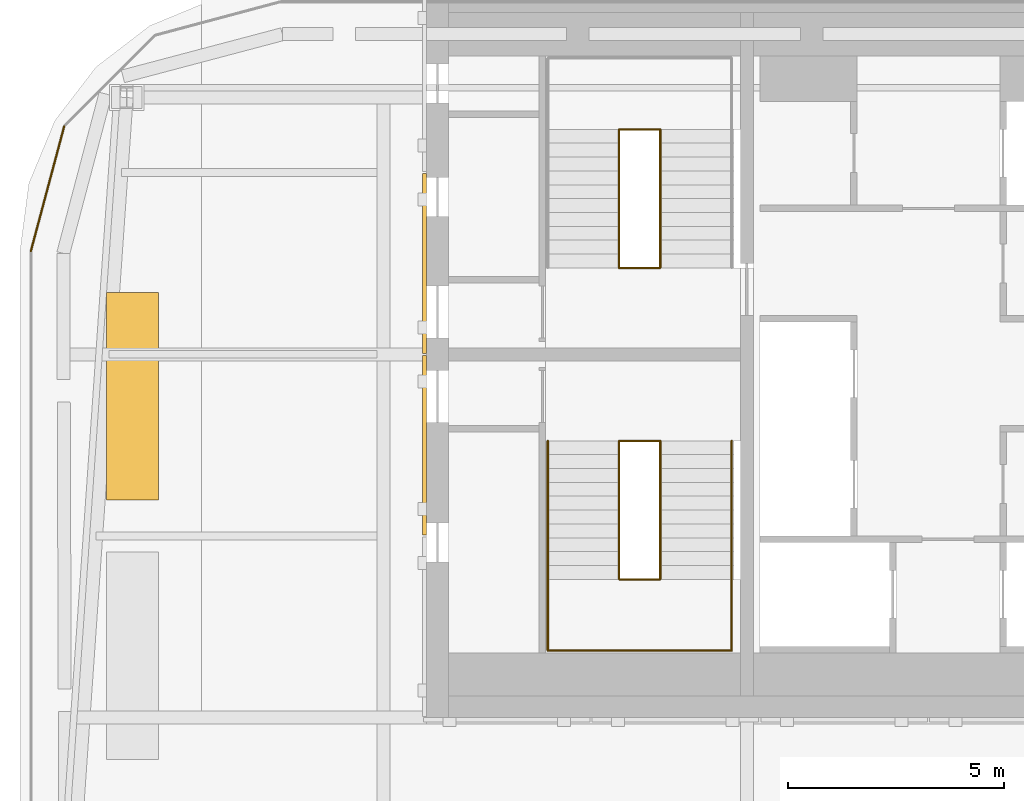
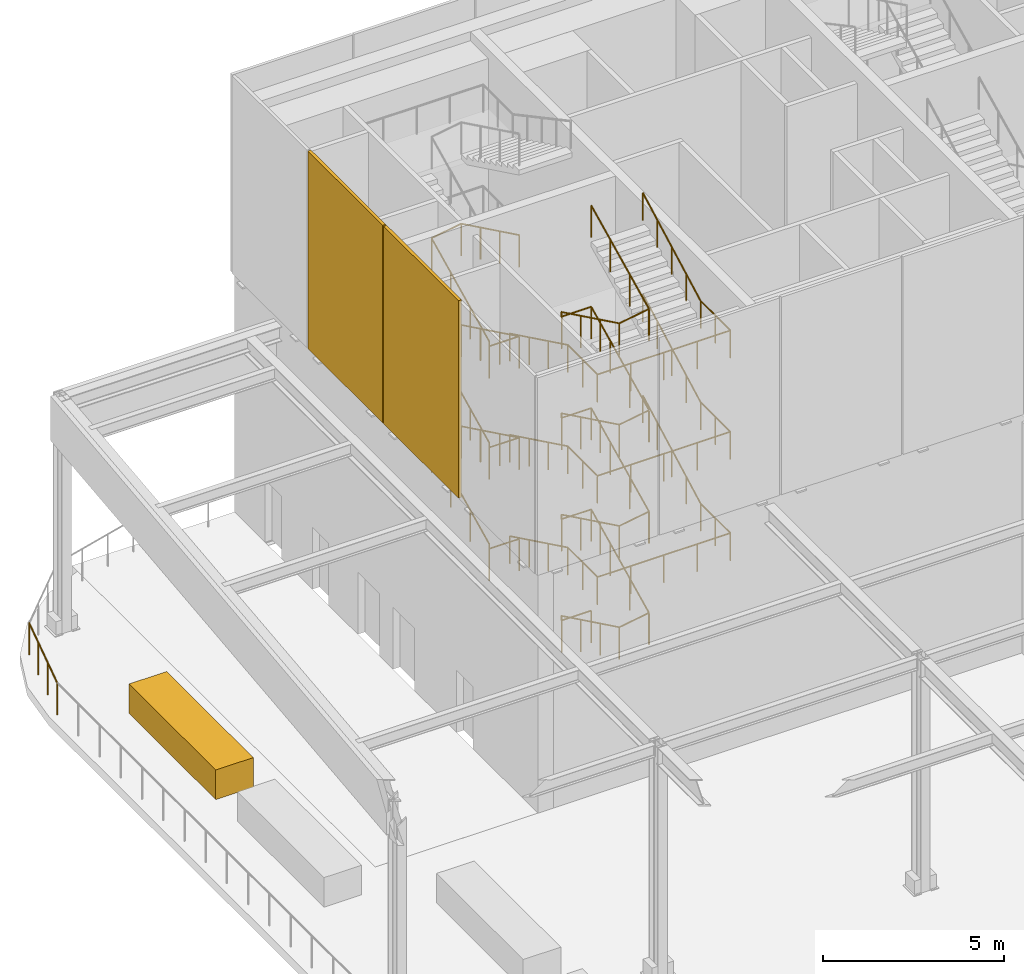
# One storey, part 11 of 14: 11 railings, 3 coverings.
"""IFC4 building model written with IfcOpenShell, lengths in metres."""

from ifc_helpers import new_model, si_unit, direction, frame, origin, origin_2d, place, context, subcontext, project, spatial, rectangle, circle, extrude, material, layer, layer_set, type_object, element, save


model = new_model("IFC4")

# Units and contexts
model_context = context("Model", 3, precision=1e-05, world=origin(), true_north=direction((0.0, 1.0)))
body_context = subcontext(model_context, "Body", "Model", "MODEL_VIEW")
ifc_project = project(units=[si_unit("LENGTHUNIT", "METRE"), si_unit("AREAUNIT", "SQUARE_METRE"), si_unit("VOLUMEUNIT", "CUBIC_METRE"), si_unit("PLANEANGLEUNIT", "RADIAN"), si_unit("MASSUNIT", "GRAM", prefix="KILO")], contexts=[model_context])

# Site, building, storey
site_placement = place(None, origin())
site = spatial("IfcSite", under=ifc_project, at=site_placement, CompositionType="ELEMENT")
building_placement = place(site_placement, origin())
building = spatial("IfcBuilding", under=site, at=building_placement, Name="Marenta Gate Hotel Tower", CompositionType="ELEMENT")
storey_placement = place(building_placement, frame((0.0, 0.0, 295.699951171875)))
storey = spatial("IfcBuildingStorey", under=building, at=storey_placement, Name="L67", CompositionType="ELEMENT", Elevation=295.699951171875)

# Railings
ifc_material_1 = material(Name="Stainless steel", Category="steel")
railing_type_1 = type_object("IfcRailingType", Name="Core stair handrail 950", PredefinedType="HANDRAIL", material=ifc_material_1)
railing_1_placement = place(storey_placement, frame((-8.800048828125, 6.39990234375, 3.580810546875)))
element("IfcRailing", 1, at=railing_1_placement, inside=storey, type_object=railing_type_1, Name="HR-950 L67-KR-ST1-3", PredefinedType="HANDRAIL", context=body_context, shape_type="SweptSolid", body=[
    extrude(circle(Radius=0.02392578125, at=origin_2d()), frame((0.0, 0.0, 0.92578125), z_axis=(0.0, -0.899245300681, 0.437444727027), x_axis=(1.0, 0.0, 0.0)), (0.0, 0.0, 1.0), 3.55859375),
    extrude(circle(Radius=0.02392578125, at=origin_2d()), frame((0.0, -3.199951171875, 2.482421875), z_axis=(0.0, -1.0, 0.0), x_axis=(1.0, 0.0, 0.0)), (0.0, 0.0, 1.0), 1.64990234375),
    extrude(circle(Radius=0.02392578125, at=origin_2d()), frame((0.0, -4.849853515625, 2.482421875), z_axis=(1.0, 0.0, 0.0), x_axis=(0.0, 1.0, 0.0)), (0.0, 0.0, 1.0), 4.25),
    extrude(circle(Radius=0.02392578125, at=origin_2d()), frame((4.25, -4.849853515625, 2.482421875), z_axis=(0.0, 1.0, 0.0), x_axis=(-1.0, 0.0, 0.0)), (0.0, 0.0, 1.0), 1.64990234375),
    extrude(circle(Radius=0.02392578125, at=origin_2d()), frame((4.25, -3.199951171875, 2.482421875), z_axis=(0.0, 0.881664902531, 0.471876042669), x_axis=(-1.0, 0.0, 0.0)), (0.0, 0.0, 1.0), 3.62939453125),
    extrude(circle(Radius=0.02099609375, at=origin_2d()), origin(), (0.0, 0.0, 1.0), 0.90185546875),
    extrude(circle(Radius=0.02099609375, at=origin_2d()), frame((0.0, -1.066650390625, 0.518798828125)), (0.0, 0.0, 1.0), 0.90185546875),
    extrude(circle(Radius=0.02099609375, at=origin_2d()), frame((0.0, -2.13330078125, 1.037841796875)), (0.0, 0.0, 1.0), 0.90185546875),
    extrude(circle(Radius=0.02099609375, at=origin_2d()), frame((0.0, -3.199951171875, 1.556640625)), (0.0, 0.0, 1.0), 0.90185546875),
    extrude(circle(Radius=0.02099609375, at=origin_2d()), frame((0.0, -4.02490234375, 1.556640625)), (0.0, 0.0, 1.0), 0.90185546875),
    extrude(circle(Radius=0.02099609375, at=origin_2d()), frame((0.0, -4.849853515625, 1.556640625)), (0.0, 0.0, 1.0), 0.90185546875),
    extrude(circle(Radius=0.02099609375, at=origin_2d()), frame((1.0625, -4.849853515625, 1.556640625)), (0.0, 0.0, 1.0), 0.90185546875),
    extrude(circle(Radius=0.02099609375, at=origin_2d()), frame((2.125, -4.849853515625, 1.556640625)), (0.0, 0.0, 1.0), 0.90185546875),
    extrude(circle(Radius=0.02099609375, at=origin_2d()), frame((3.1875, -4.849853515625, 1.556640625)), (0.0, 0.0, 1.0), 0.90185546875),
    extrude(circle(Radius=0.02099609375, at=origin_2d()), frame((4.25, -4.849853515625, 1.556640625)), (0.0, 0.0, 1.0), 0.90185546875),
    extrude(circle(Radius=0.02099609375, at=origin_2d()), frame((4.25, -4.02490234375, 1.556640625)), (0.0, 0.0, 1.0), 0.90185546875),
    extrude(circle(Radius=0.02099609375, at=origin_2d()), frame((4.25, -3.199951171875, 1.556640625)), (0.0, 0.0, 1.0), 0.90185546875),
    extrude(circle(Radius=0.02099609375, at=origin_2d()), frame((4.25, -2.39990234375, 1.98486328125)), (0.0, 0.0, 1.0), 0.90185546875),
    extrude(circle(Radius=0.02099609375, at=origin_2d()), frame((4.25, -1.60009765625, 2.4130859375)), (0.0, 0.0, 1.0), 0.90185546875),
    extrude(circle(Radius=0.02099609375, at=origin_2d()), frame((4.25, -0.800048828125, 2.841064453125)), (0.0, 0.0, 1.0), 0.90185546875),
    extrude(circle(Radius=0.02099609375, at=origin_2d()), frame((4.25, 0.0, 3.269287109375)), (0.0, 0.0, 1.0), 0.90185546875),
])
railing_2_placement = place(storey_placement, frame((-8.800048828125, 6.39990234375, 7.005615234375)))
element("IfcRailing", 2, at=railing_2_placement, inside=storey, type_object=railing_type_1, Name="HR-950 L67-KR-ST1-5", PredefinedType="HANDRAIL", context=body_context, shape_type="SweptSolid", body=[
    extrude(circle(Radius=0.02392578125, at=origin_2d()), frame((0.0, 0.0, 0.92578125), z_axis=(0.0, -0.899218311435, 0.437500203862), x_axis=(1.0, 0.0, 0.0)), (0.0, 0.0, 1.0), 3.55859375),
    extrude(circle(Radius=0.02392578125, at=origin_2d()), frame((0.0, -3.199951171875, 2.48291015625), z_axis=(0.0, -1.0, 0.0), x_axis=(1.0, 0.0, 0.0)), (0.0, 0.0, 1.0), 1.64990234375),
    extrude(circle(Radius=0.02392578125, at=origin_2d()), frame((0.0, -4.849853515625, 2.48291015625), z_axis=(1.0, 0.0, 0.0), x_axis=(0.0, 1.0, 0.0)), (0.0, 0.0, 1.0), 4.25),
    extrude(circle(Radius=0.02392578125, at=origin_2d()), frame((4.25, -4.849853515625, 2.48291015625), z_axis=(0.0, 1.0, 0.0), x_axis=(-1.0, 0.0, 0.0)), (0.0, 0.0, 1.0), 1.64990234375),
    extrude(circle(Radius=0.02392578125, at=origin_2d()), frame((4.25, -3.199951171875, 2.48291015625), z_axis=(0.0, 0.881664902531, 0.471876042669), x_axis=(-1.0, 0.0, 0.0)), (0.0, 0.0, 1.0), 3.62939453125),
    extrude(circle(Radius=0.02099609375, at=origin_2d()), origin(), (0.0, 0.0, 1.0), 0.90185546875),
    extrude(circle(Radius=0.02099609375, at=origin_2d()), frame((0.0, -1.066650390625, 0.51904296875)), (0.0, 0.0, 1.0), 0.90185546875),
    extrude(circle(Radius=0.02099609375, at=origin_2d()), frame((0.0, -2.13330078125, 1.037841796875)), (0.0, 0.0, 1.0), 0.90185546875),
    extrude(circle(Radius=0.02099609375, at=origin_2d()), frame((0.0, -3.199951171875, 1.556884765625)), (0.0, 0.0, 1.0), 0.90185546875),
    extrude(circle(Radius=0.02099609375, at=origin_2d()), frame((0.0, -4.02490234375, 1.556884765625)), (0.0, 0.0, 1.0), 0.90185546875),
    extrude(circle(Radius=0.02099609375, at=origin_2d()), frame((0.0, -4.849853515625, 1.556884765625)), (0.0, 0.0, 1.0), 0.90185546875),
    extrude(circle(Radius=0.02099609375, at=origin_2d()), frame((1.0625, -4.849853515625, 1.556884765625)), (0.0, 0.0, 1.0), 0.90185546875),
    extrude(circle(Radius=0.02099609375, at=origin_2d()), frame((2.125, -4.849853515625, 1.556884765625)), (0.0, 0.0, 1.0), 0.90185546875),
    extrude(circle(Radius=0.02099609375, at=origin_2d()), frame((3.1875, -4.849853515625, 1.556884765625)), (0.0, 0.0, 1.0), 0.90185546875),
    extrude(circle(Radius=0.02099609375, at=origin_2d()), frame((4.25, -4.849853515625, 1.556884765625)), (0.0, 0.0, 1.0), 0.90185546875),
    extrude(circle(Radius=0.02099609375, at=origin_2d()), frame((4.25, -4.02490234375, 1.556884765625)), (0.0, 0.0, 1.0), 0.90185546875),
    extrude(circle(Radius=0.02099609375, at=origin_2d()), frame((4.25, -3.199951171875, 1.556884765625)), (0.0, 0.0, 1.0), 0.90185546875),
    extrude(circle(Radius=0.02099609375, at=origin_2d()), frame((4.25, -2.39990234375, 1.985107421875)), (0.0, 0.0, 1.0), 0.90185546875),
    extrude(circle(Radius=0.02099609375, at=origin_2d()), frame((4.25, -1.60009765625, 2.4130859375)), (0.0, 0.0, 1.0), 0.90185546875),
    extrude(circle(Radius=0.02099609375, at=origin_2d()), frame((4.25, -0.800048828125, 2.84130859375)), (0.0, 0.0, 1.0), 0.90185546875),
    extrude(circle(Radius=0.02099609375, at=origin_2d()), frame((4.25, 0.0, 3.26953125)), (0.0, 0.0, 1.0), 0.90185546875),
])
railing_3_placement = place(storey_placement, frame((-8.800048828125, 6.39990234375, 10.4306640625)))
element("IfcRailing", 3, at=railing_3_placement, inside=storey, type_object=railing_type_1, Name="HR-950 L67-KR-ST1-7", PredefinedType="HANDRAIL", context=body_context, shape_type="SweptSolid", body=[
    extrude(circle(Radius=0.02392578125, at=origin_2d()), frame((0.0, 0.0, 0.92578125), z_axis=(0.0, -0.899218311435, 0.437500203862), x_axis=(1.0, 0.0, 0.0)), (0.0, 0.0, 1.0), 3.55859375),
    extrude(circle(Radius=0.02392578125, at=origin_2d()), frame((0.0, -3.199951171875, 2.48291015625), z_axis=(0.0, -1.0, 0.0), x_axis=(1.0, 0.0, 0.0)), (0.0, 0.0, 1.0), 1.64990234375),
    extrude(circle(Radius=0.02392578125, at=origin_2d()), frame((0.0, -4.849853515625, 2.48291015625), z_axis=(1.0, 0.0, 0.0), x_axis=(0.0, 1.0, 0.0)), (0.0, 0.0, 1.0), 4.25),
    extrude(circle(Radius=0.02392578125, at=origin_2d()), frame((4.25, -4.849853515625, 2.48291015625), z_axis=(0.0, 1.0, 0.0), x_axis=(-1.0, 0.0, 0.0)), (0.0, 0.0, 1.0), 1.64990234375),
    extrude(circle(Radius=0.02392578125, at=origin_2d()), frame((4.25, -3.199951171875, 2.48291015625), z_axis=(0.0, 0.881692887283, 0.471823751537), x_axis=(-1.0, 0.0, 0.0)), (0.0, 0.0, 1.0), 3.62939453125),
    extrude(circle(Radius=0.02099609375, at=origin_2d()), origin(), (0.0, 0.0, 1.0), 0.90185546875),
    extrude(circle(Radius=0.02099609375, at=origin_2d()), frame((0.0, -1.066650390625, 0.51904296875)), (0.0, 0.0, 1.0), 0.90185546875),
    extrude(circle(Radius=0.02099609375, at=origin_2d()), frame((0.0, -2.13330078125, 1.037841796875)), (0.0, 0.0, 1.0), 0.90185546875),
    extrude(circle(Radius=0.02099609375, at=origin_2d()), frame((0.0, -3.199951171875, 1.556884765625)), (0.0, 0.0, 1.0), 0.90185546875),
    extrude(circle(Radius=0.02099609375, at=origin_2d()), frame((0.0, -4.02490234375, 1.556884765625)), (0.0, 0.0, 1.0), 0.90185546875),
    extrude(circle(Radius=0.02099609375, at=origin_2d()), frame((0.0, -4.849853515625, 1.556884765625)), (0.0, 0.0, 1.0), 0.90185546875),
    extrude(circle(Radius=0.02099609375, at=origin_2d()), frame((1.0625, -4.849853515625, 1.556884765625)), (0.0, 0.0, 1.0), 0.90185546875),
    extrude(circle(Radius=0.02099609375, at=origin_2d()), frame((2.125, -4.849853515625, 1.556884765625)), (0.0, 0.0, 1.0), 0.90185546875),
    extrude(circle(Radius=0.02099609375, at=origin_2d()), frame((3.1875, -4.849853515625, 1.556884765625)), (0.0, 0.0, 1.0), 0.90185546875),
    extrude(circle(Radius=0.02099609375, at=origin_2d()), frame((4.25, -4.849853515625, 1.556884765625)), (0.0, 0.0, 1.0), 0.90185546875),
    extrude(circle(Radius=0.02099609375, at=origin_2d()), frame((4.25, -4.02490234375, 1.556884765625)), (0.0, 0.0, 1.0), 0.90185546875),
    extrude(circle(Radius=0.02099609375, at=origin_2d()), frame((4.25, -3.199951171875, 1.556884765625)), (0.0, 0.0, 1.0), 0.90185546875),
    extrude(circle(Radius=0.02099609375, at=origin_2d()), frame((4.25, -2.39990234375, 1.98486328125)), (0.0, 0.0, 1.0), 0.90185546875),
    extrude(circle(Radius=0.02099609375, at=origin_2d()), frame((4.25, -1.60009765625, 2.4130859375)), (0.0, 0.0, 1.0), 0.90185546875),
    extrude(circle(Radius=0.02099609375, at=origin_2d()), frame((4.25, -0.800048828125, 2.84130859375)), (0.0, 0.0, 1.0), 0.90185546875),
    extrude(circle(Radius=0.02099609375, at=origin_2d()), frame((4.25, 0.0, 3.269287109375)), (0.0, 0.0, 1.0), 0.90185546875),
])
ifc_material_2 = material(Name="Stainless steel", Category="steel")
railing_type_2 = type_object("IfcRailingType", Name="Core stair well guard 1100", PredefinedType="GUARDRAIL", material=ifc_material_2)
railing_4_placement = place(storey_placement, frame((-6.199951171875, 6.39990234375, 0.0)))
element("IfcRailing", 4, at=railing_4_placement, inside=storey, type_object=railing_type_2, Name="GR-1100 L67-KR-ST1-2", PredefinedType="GUARDRAIL", context=body_context, shape_type="SweptSolid", body=[
    extrude(circle(Radius=0.02392578125, at=origin_2d()), frame((0.0, 0.0, 1.076171875), z_axis=(-1.0, 0.0, 0.0), x_axis=(0.0, -1.0, 0.0)), (0.0, 0.0, 1.0), 0.949951171875),
    extrude(circle(Radius=0.02392578125, at=origin_2d()), frame((-0.949951171875, 0.0, 1.076171875), z_axis=(0.0, 0.0, 1.0), x_axis=(1.0, 0.0, 0.0)), (0.0, 0.0, 1.0), 0.15576171875),
    extrude(circle(Radius=0.02392578125, at=origin_2d()), frame((-0.949951171875, 0.0, 1.23193359375), z_axis=(0.0, -0.899218311435, 0.437500203862), x_axis=(1.0, 0.0, 0.0)), (0.0, 0.0, 1.0), 3.55859375),
    extrude(circle(Radius=0.02392578125, at=origin_2d()), frame((-0.949951171875, -3.199951171875, 2.78857421875), z_axis=(0.986862821655, 0.0, 0.161560425956), x_axis=(0.0, 1.0, 0.0)), (0.0, 0.0, 1.0), 0.962646484375),
    extrude(circle(Radius=0.02392578125, at=origin_2d()), frame((0.0, -3.199951171875, 2.9443359375), z_axis=(0.0, 0.899218311435, 0.437500203862), x_axis=(-1.0, 0.0, 0.0)), (0.0, 0.0, 1.0), 3.55859375),
    extrude(circle(Radius=0.02099609375, at=origin_2d()), origin(), (0.0, 0.0, 1.0), 1.052001953125),
    extrude(circle(Radius=0.02099609375, at=origin_2d()), frame((-0.949951171875, 0.0, 0.0)), (0.0, 0.0, 1.0), 1.052001953125),
    extrude(circle(Radius=0.02099609375, at=origin_2d()), frame((-0.949951171875, 0.0, 0.15576171875)), (0.0, 0.0, 1.0), 1.052001953125),
    extrude(circle(Radius=0.02099609375, at=origin_2d()), frame((-0.949951171875, -1.066650390625, 0.6748046875)), (0.0, 0.0, 1.0), 1.052001953125),
    extrude(circle(Radius=0.02099609375, at=origin_2d()), frame((-0.949951171875, -2.13330078125, 1.193603515625)), (0.0, 0.0, 1.0), 1.052001953125),
    extrude(circle(Radius=0.02099609375, at=origin_2d()), frame((-0.949951171875, -3.199951171875, 1.712646484375)), (0.0, 0.0, 1.0), 1.052001953125),
    extrude(circle(Radius=0.02099609375, at=origin_2d()), frame((0.0, -3.199951171875, 1.8681640625)), (0.0, 0.0, 1.0), 1.052001953125),
    extrude(circle(Radius=0.02099609375, at=origin_2d()), frame((0.0, -2.13330078125, 2.38720703125)), (0.0, 0.0, 1.0), 1.052001953125),
    extrude(circle(Radius=0.02099609375, at=origin_2d()), frame((0.0, -1.066650390625, 2.906005859375)), (0.0, 0.0, 1.0), 1.052001953125),
    extrude(circle(Radius=0.02099609375, at=origin_2d()), frame((0.0, 0.0, 3.425048828125)), (0.0, 0.0, 1.0), 1.052001953125),
])
railing_5_placement = place(storey_placement, frame((-6.199951171875, 6.39990234375, 3.425048828125)))
element("IfcRailing", 5, at=railing_5_placement, inside=storey, type_object=railing_type_2, Name="GR-1100 L67-KR-ST1-4", PredefinedType="GUARDRAIL", context=body_context, shape_type="SweptSolid", body=[
    extrude(circle(Radius=0.02392578125, at=origin_2d()), frame((0.0, 0.0, 1.076171875), z_axis=(-1.0, 0.0, 0.0), x_axis=(0.0, -1.0, 0.0)), (0.0, 0.0, 1.0), 0.949951171875),
    extrude(circle(Radius=0.02392578125, at=origin_2d()), frame((-0.949951171875, 0.0, 1.076171875), z_axis=(0.0, 0.0, 1.0), x_axis=(1.0, 0.0, 0.0)), (0.0, 0.0, 1.0), 0.15576171875),
    extrude(circle(Radius=0.02392578125, at=origin_2d()), frame((-0.949951171875, 0.0, 1.23193359375), z_axis=(0.0, -0.899245300681, 0.437444727027), x_axis=(1.0, 0.0, 0.0)), (0.0, 0.0, 1.0), 3.55859375),
    extrude(circle(Radius=0.02392578125, at=origin_2d()), frame((-0.949951171875, -3.199951171875, 2.78857421875), z_axis=(0.986822354621, 0.0, 0.161807417694), x_axis=(0.0, 1.0, 0.0)), (0.0, 0.0, 1.0), 0.962646484375),
    extrude(circle(Radius=0.02392578125, at=origin_2d()), frame((0.0, -3.199951171875, 2.9443359375), z_axis=(0.0, 0.899218311435, 0.437500203862), x_axis=(-1.0, 0.0, 0.0)), (0.0, 0.0, 1.0), 3.55859375),
    extrude(circle(Radius=0.02099609375, at=origin_2d()), origin(), (0.0, 0.0, 1.0), 1.052001953125),
    extrude(circle(Radius=0.02099609375, at=origin_2d()), frame((-0.949951171875, 0.0, 0.0)), (0.0, 0.0, 1.0), 1.052001953125),
    extrude(circle(Radius=0.02099609375, at=origin_2d()), frame((-0.949951171875, 0.0, 0.15576171875)), (0.0, 0.0, 1.0), 1.052001953125),
    extrude(circle(Radius=0.02099609375, at=origin_2d()), frame((-0.949951171875, -1.066650390625, 0.674560546875)), (0.0, 0.0, 1.0), 1.052001953125),
    extrude(circle(Radius=0.02099609375, at=origin_2d()), frame((-0.949951171875, -2.13330078125, 1.193603515625)), (0.0, 0.0, 1.0), 1.052001953125),
    extrude(circle(Radius=0.02099609375, at=origin_2d()), frame((-0.949951171875, -3.199951171875, 1.71240234375)), (0.0, 0.0, 1.0), 1.052001953125),
    extrude(circle(Radius=0.02099609375, at=origin_2d()), frame((0.0, -3.199951171875, 1.8681640625)), (0.0, 0.0, 1.0), 1.052001953125),
    extrude(circle(Radius=0.02099609375, at=origin_2d()), frame((0.0, -2.13330078125, 2.38720703125)), (0.0, 0.0, 1.0), 1.052001953125),
    extrude(circle(Radius=0.02099609375, at=origin_2d()), frame((0.0, -1.066650390625, 2.906005859375)), (0.0, 0.0, 1.0), 1.052001953125),
    extrude(circle(Radius=0.02099609375, at=origin_2d()), frame((0.0, 0.0, 3.425048828125)), (0.0, 0.0, 1.0), 1.052001953125),
])
railing_6_placement = place(storey_placement, frame((-6.199951171875, 6.39990234375, 6.85009765625)))
element("IfcRailing", 6, at=railing_6_placement, inside=storey, type_object=railing_type_2, Name="GR-1100 L67-KR-ST1-6", PredefinedType="GUARDRAIL", context=body_context, shape_type="SweptSolid", body=[
    extrude(circle(Radius=0.02392578125, at=origin_2d()), frame((0.0, 0.0, 1.076171875), z_axis=(-1.0, 0.0, 0.0), x_axis=(0.0, -1.0, 0.0)), (0.0, 0.0, 1.0), 0.949951171875),
    extrude(circle(Radius=0.02392578125, at=origin_2d()), frame((-0.949951171875, 0.0, 1.076171875), z_axis=(0.0, 0.0, 1.0), x_axis=(1.0, 0.0, 0.0)), (0.0, 0.0, 1.0), 0.155517578125),
    extrude(circle(Radius=0.02392578125, at=origin_2d()), frame((-0.949951171875, 0.0, 1.2314453125), z_axis=(0.0, -0.899218311435, 0.437500203862), x_axis=(1.0, 0.0, 0.0)), (0.0, 0.0, 1.0), 3.55859375),
    extrude(circle(Radius=0.02392578125, at=origin_2d()), frame((-0.949951171875, -3.199951171875, 2.78857421875), z_axis=(0.986822354621, 0.0, 0.161807417694), x_axis=(0.0, 1.0, 0.0)), (0.0, 0.0, 1.0), 0.962646484375),
    extrude(circle(Radius=0.02392578125, at=origin_2d()), frame((0.0, -3.199951171875, 2.9443359375), z_axis=(0.0, 0.899218311435, 0.437500203862), x_axis=(-1.0, 0.0, 0.0)), (0.0, 0.0, 1.0), 3.55859375),
    extrude(circle(Radius=0.02099609375, at=origin_2d()), origin(), (0.0, 0.0, 1.0), 1.052001953125),
    extrude(circle(Radius=0.02099609375, at=origin_2d()), frame((-0.949951171875, 0.0, 0.0)), (0.0, 0.0, 1.0), 1.052001953125),
    extrude(circle(Radius=0.02099609375, at=origin_2d()), frame((-0.949951171875, 0.0, 0.155517578125)), (0.0, 0.0, 1.0), 1.052001953125),
    extrude(circle(Radius=0.02099609375, at=origin_2d()), frame((-0.949951171875, -1.066650390625, 0.674560546875)), (0.0, 0.0, 1.0), 1.052001953125),
    extrude(circle(Radius=0.02099609375, at=origin_2d()), frame((-0.949951171875, -2.13330078125, 1.193359375)), (0.0, 0.0, 1.0), 1.052001953125),
    extrude(circle(Radius=0.02099609375, at=origin_2d()), frame((-0.949951171875, -3.199951171875, 1.71240234375)), (0.0, 0.0, 1.0), 1.052001953125),
    extrude(circle(Radius=0.02099609375, at=origin_2d()), frame((0.0, -3.199951171875, 1.8681640625)), (0.0, 0.0, 1.0), 1.052001953125),
    extrude(circle(Radius=0.02099609375, at=origin_2d()), frame((0.0, -2.13330078125, 2.38720703125)), (0.0, 0.0, 1.0), 1.052001953125),
    extrude(circle(Radius=0.02099609375, at=origin_2d()), frame((0.0, -1.066650390625, 2.906005859375)), (0.0, 0.0, 1.0), 1.052001953125),
    extrude(circle(Radius=0.02099609375, at=origin_2d()), frame((0.0, 0.0, 3.425048828125)), (0.0, 0.0, 1.0), 1.052001953125),
])
railing_7_placement = place(storey_placement, frame((-6.199951171875, 6.39990234375, 10.275146484375)))
element("IfcRailing", 7, at=railing_7_placement, inside=storey, type_object=railing_type_2, Name="GR-1100 L67-KR-ST1-8", PredefinedType="GUARDRAIL", context=body_context, shape_type="SweptSolid", body=[
    extrude(circle(Radius=0.02392578125, at=origin_2d()), frame((0.0, 0.0, 1.076171875), z_axis=(-1.0, 0.0, 0.0), x_axis=(0.0, -1.0, 0.0)), (0.0, 0.0, 1.0), 0.949951171875),
    extrude(circle(Radius=0.02392578125, at=origin_2d()), frame((-0.949951171875, 0.0, 1.076171875), z_axis=(0.0, 0.0, 1.0), x_axis=(1.0, 0.0, 0.0)), (0.0, 0.0, 1.0), 0.155517578125),
    extrude(circle(Radius=0.02392578125, at=origin_2d()), frame((-0.949951171875, 0.0, 1.2314453125), z_axis=(0.0, -0.899218311435, 0.437500203862), x_axis=(1.0, 0.0, 0.0)), (0.0, 0.0, 1.0), 3.55859375),
    extrude(circle(Radius=0.02392578125, at=origin_2d()), frame((-0.949951171875, -3.199951171875, 2.78857421875), z_axis=(0.986822354621, 0.0, 0.161807417694), x_axis=(0.0, 1.0, 0.0)), (0.0, 0.0, 1.0), 0.962646484375),
    extrude(circle(Radius=0.02392578125, at=origin_2d()), frame((0.0, -3.199951171875, 2.9443359375), z_axis=(0.0, 0.899245300681, 0.437444727027), x_axis=(-1.0, 0.0, 0.0)), (0.0, 0.0, 1.0), 3.55859375),
    extrude(circle(Radius=0.02099609375, at=origin_2d()), origin(), (0.0, 0.0, 1.0), 1.052001953125),
    extrude(circle(Radius=0.02099609375, at=origin_2d()), frame((-0.949951171875, 0.0, 0.0)), (0.0, 0.0, 1.0), 1.052001953125),
    extrude(circle(Radius=0.02099609375, at=origin_2d()), frame((-0.949951171875, 0.0, 0.155517578125)), (0.0, 0.0, 1.0), 1.052001953125),
    extrude(circle(Radius=0.02099609375, at=origin_2d()), frame((-0.949951171875, -1.066650390625, 0.674560546875)), (0.0, 0.0, 1.0), 1.052001953125),
    extrude(circle(Radius=0.02099609375, at=origin_2d()), frame((-0.949951171875, -2.13330078125, 1.193359375)), (0.0, 0.0, 1.0), 1.052001953125),
    extrude(circle(Radius=0.02099609375, at=origin_2d()), frame((-0.949951171875, -3.199951171875, 1.71240234375)), (0.0, 0.0, 1.0), 1.052001953125),
    extrude(circle(Radius=0.02099609375, at=origin_2d()), frame((0.0, -3.199951171875, 1.8681640625)), (0.0, 0.0, 1.0), 1.052001953125),
    extrude(circle(Radius=0.02099609375, at=origin_2d()), frame((0.0, -2.13330078125, 2.386962890625)), (0.0, 0.0, 1.0), 1.052001953125),
    extrude(circle(Radius=0.02099609375, at=origin_2d()), frame((0.0, -1.066650390625, 2.906005859375)), (0.0, 0.0, 1.0), 1.052001953125),
    extrude(circle(Radius=0.02099609375, at=origin_2d()), frame((0.0, 0.0, 3.4248046875)), (0.0, 0.0, 1.0), 1.052001953125),
])
railing_8_placement = place(storey_placement, frame((-6.199951171875, 10.39990234375, 0.0)))
element("IfcRailing", 8, at=railing_8_placement, inside=storey, type_object=railing_type_2, Name="GR-1100 L67-KR-ST2-2", PredefinedType="GUARDRAIL", context=body_context, shape_type="SweptSolid", body=[
    extrude(circle(Radius=0.02392578125, at=origin_2d()), frame((0.0, 0.0, 1.076171875), z_axis=(-1.0, 0.0, 0.0), x_axis=(0.0, -1.0, 0.0)), (0.0, 0.0, 1.0), 0.949951171875),
    extrude(circle(Radius=0.02392578125, at=origin_2d()), frame((-0.949951171875, 0.0, 1.076171875), z_axis=(0.0, 0.0, 1.0), x_axis=(1.0, 0.0, 0.0)), (0.0, 0.0, 1.0), 0.15576171875),
    extrude(circle(Radius=0.02392578125, at=origin_2d()), frame((-0.949951171875, 0.0, 1.23193359375), z_axis=(0.0, 0.899231441842, 0.437473215184), x_axis=(-1.0, 0.0, 0.0)), (0.0, 0.0, 1.0), 3.558837890625),
    extrude(circle(Radius=0.02392578125, at=origin_2d()), frame((-0.949951171875, 3.2001953125, 2.78857421875), z_axis=(0.986862821655, 0.0, 0.161560425956), x_axis=(0.0, 1.0, 0.0)), (0.0, 0.0, 1.0), 0.962646484375),
    extrude(circle(Radius=0.02392578125, at=origin_2d()), frame((0.0, 3.2001953125, 2.9443359375), z_axis=(0.0, -0.899231441842, 0.437473215184), x_axis=(1.0, 0.0, 0.0)), (0.0, 0.0, 1.0), 3.558837890625),
    extrude(circle(Radius=0.02099609375, at=origin_2d()), origin(), (0.0, 0.0, 1.0), 1.052001953125),
    extrude(circle(Radius=0.02099609375, at=origin_2d()), frame((-0.949951171875, 0.0, 0.0)), (0.0, 0.0, 1.0), 1.052001953125),
    extrude(circle(Radius=0.02099609375, at=origin_2d()), frame((-0.949951171875, 0.0, 0.15576171875)), (0.0, 0.0, 1.0), 1.052001953125),
    extrude(circle(Radius=0.02099609375, at=origin_2d()), frame((-0.949951171875, 1.066650390625, 0.6748046875)), (0.0, 0.0, 1.0), 1.052001953125),
    extrude(circle(Radius=0.02099609375, at=origin_2d()), frame((-0.949951171875, 2.133544921875, 1.193603515625)), (0.0, 0.0, 1.0), 1.052001953125),
    extrude(circle(Radius=0.02099609375, at=origin_2d()), frame((-0.949951171875, 3.2001953125, 1.712646484375)), (0.0, 0.0, 1.0), 1.052001953125),
    extrude(circle(Radius=0.02099609375, at=origin_2d()), frame((0.0, 3.2001953125, 1.8681640625)), (0.0, 0.0, 1.0), 1.052001953125),
    extrude(circle(Radius=0.02099609375, at=origin_2d()), frame((0.0, 2.133544921875, 2.38720703125)), (0.0, 0.0, 1.0), 1.052001953125),
    extrude(circle(Radius=0.02099609375, at=origin_2d()), frame((0.0, 1.066650390625, 2.906005859375)), (0.0, 0.0, 1.0), 1.052001953125),
    extrude(circle(Radius=0.02099609375, at=origin_2d()), frame((0.0, 0.0, 3.425048828125)), (0.0, 0.0, 1.0), 1.052001953125),
])
railing_9_placement = place(storey_placement, frame((-6.199951171875, 10.39990234375, 3.425048828125)))
element("IfcRailing", 9, at=railing_9_placement, inside=storey, type_object=railing_type_2, Name="GR-1100 L67-KR-ST2-4", PredefinedType="GUARDRAIL", context=body_context, shape_type="SweptSolid", body=[
    extrude(circle(Radius=0.02392578125, at=origin_2d()), frame((0.0, 0.0, 1.076171875), z_axis=(-1.0, 0.0, 0.0), x_axis=(0.0, -1.0, 0.0)), (0.0, 0.0, 1.0), 0.949951171875),
    extrude(circle(Radius=0.02392578125, at=origin_2d()), frame((-0.949951171875, 0.0, 1.076171875), z_axis=(0.0, 0.0, 1.0), x_axis=(1.0, 0.0, 0.0)), (0.0, 0.0, 1.0), 0.15576171875),
    extrude(circle(Radius=0.02392578125, at=origin_2d()), frame((-0.949951171875, 0.0, 1.23193359375), z_axis=(0.0, 0.899258428152, 0.437417740151), x_axis=(-1.0, 0.0, 0.0)), (0.0, 0.0, 1.0), 3.55859375),
    extrude(circle(Radius=0.02392578125, at=origin_2d()), frame((-0.949951171875, 3.2001953125, 2.78857421875), z_axis=(0.986822354621, 0.0, 0.161807417694), x_axis=(0.0, 1.0, 0.0)), (0.0, 0.0, 1.0), 0.962646484375),
    extrude(circle(Radius=0.02392578125, at=origin_2d()), frame((0.0, 3.2001953125, 2.9443359375), z_axis=(0.0, -0.899231441842, 0.437473215184), x_axis=(1.0, 0.0, 0.0)), (0.0, 0.0, 1.0), 3.558837890625),
    extrude(circle(Radius=0.02099609375, at=origin_2d()), origin(), (0.0, 0.0, 1.0), 1.052001953125),
    extrude(circle(Radius=0.02099609375, at=origin_2d()), frame((-0.949951171875, 0.0, 0.0)), (0.0, 0.0, 1.0), 1.052001953125),
    extrude(circle(Radius=0.02099609375, at=origin_2d()), frame((-0.949951171875, 0.0, 0.15576171875)), (0.0, 0.0, 1.0), 1.052001953125),
    extrude(circle(Radius=0.02099609375, at=origin_2d()), frame((-0.949951171875, 1.066650390625, 0.674560546875)), (0.0, 0.0, 1.0), 1.052001953125),
    extrude(circle(Radius=0.02099609375, at=origin_2d()), frame((-0.949951171875, 2.133544921875, 1.193603515625)), (0.0, 0.0, 1.0), 1.052001953125),
    extrude(circle(Radius=0.02099609375, at=origin_2d()), frame((-0.949951171875, 3.2001953125, 1.71240234375)), (0.0, 0.0, 1.0), 1.052001953125),
    extrude(circle(Radius=0.02099609375, at=origin_2d()), frame((0.0, 3.2001953125, 1.8681640625)), (0.0, 0.0, 1.0), 1.052001953125),
    extrude(circle(Radius=0.02099609375, at=origin_2d()), frame((0.0, 2.133544921875, 2.38720703125)), (0.0, 0.0, 1.0), 1.052001953125),
    extrude(circle(Radius=0.02099609375, at=origin_2d()), frame((0.0, 1.066650390625, 2.906005859375)), (0.0, 0.0, 1.0), 1.052001953125),
    extrude(circle(Radius=0.02099609375, at=origin_2d()), frame((0.0, 0.0, 3.425048828125)), (0.0, 0.0, 1.0), 1.052001953125),
])
railing_10_placement = place(storey_placement, frame((-6.199951171875, 10.39990234375, 6.85009765625)))
element("IfcRailing", 10, at=railing_10_placement, inside=storey, type_object=railing_type_2, Name="GR-1100 L67-KR-ST2-6", PredefinedType="GUARDRAIL", context=body_context, shape_type="SweptSolid", body=[
    extrude(circle(Radius=0.02392578125, at=origin_2d()), frame((0.0, 0.0, 1.076171875), z_axis=(-1.0, 0.0, 0.0), x_axis=(0.0, -1.0, 0.0)), (0.0, 0.0, 1.0), 0.949951171875),
    extrude(circle(Radius=0.02392578125, at=origin_2d()), frame((-0.949951171875, 0.0, 1.076171875), z_axis=(0.0, 0.0, 1.0), x_axis=(1.0, 0.0, 0.0)), (0.0, 0.0, 1.0), 0.155517578125),
    extrude(circle(Radius=0.02392578125, at=origin_2d()), frame((-0.949951171875, 0.0, 1.2314453125), z_axis=(0.0, 0.899231441842, 0.437473215184), x_axis=(-1.0, 0.0, 0.0)), (0.0, 0.0, 1.0), 3.558837890625),
    extrude(circle(Radius=0.02392578125, at=origin_2d()), frame((-0.949951171875, 3.2001953125, 2.78857421875), z_axis=(0.986822354621, 0.0, 0.161807417694), x_axis=(0.0, 1.0, 0.0)), (0.0, 0.0, 1.0), 0.962646484375),
    extrude(circle(Radius=0.02392578125, at=origin_2d()), frame((0.0, 3.2001953125, 2.9443359375), z_axis=(0.0, -0.899231441842, 0.437473215184), x_axis=(1.0, 0.0, 0.0)), (0.0, 0.0, 1.0), 3.558837890625),
    extrude(circle(Radius=0.02099609375, at=origin_2d()), origin(), (0.0, 0.0, 1.0), 1.052001953125),
    extrude(circle(Radius=0.02099609375, at=origin_2d()), frame((-0.949951171875, 0.0, 0.0)), (0.0, 0.0, 1.0), 1.052001953125),
    extrude(circle(Radius=0.02099609375, at=origin_2d()), frame((-0.949951171875, 0.0, 0.155517578125)), (0.0, 0.0, 1.0), 1.052001953125),
    extrude(circle(Radius=0.02099609375, at=origin_2d()), frame((-0.949951171875, 1.066650390625, 0.674560546875)), (0.0, 0.0, 1.0), 1.052001953125),
    extrude(circle(Radius=0.02099609375, at=origin_2d()), frame((-0.949951171875, 2.133544921875, 1.193359375)), (0.0, 0.0, 1.0), 1.052001953125),
    extrude(circle(Radius=0.02099609375, at=origin_2d()), frame((-0.949951171875, 3.2001953125, 1.71240234375)), (0.0, 0.0, 1.0), 1.052001953125),
    extrude(circle(Radius=0.02099609375, at=origin_2d()), frame((0.0, 3.2001953125, 1.8681640625)), (0.0, 0.0, 1.0), 1.052001953125),
    extrude(circle(Radius=0.02099609375, at=origin_2d()), frame((0.0, 2.133544921875, 2.38720703125)), (0.0, 0.0, 1.0), 1.052001953125),
    extrude(circle(Radius=0.02099609375, at=origin_2d()), frame((0.0, 1.066650390625, 2.906005859375)), (0.0, 0.0, 1.0), 1.052001953125),
    extrude(circle(Radius=0.02099609375, at=origin_2d()), frame((0.0, 0.0, 3.425048828125)), (0.0, 0.0, 1.0), 1.052001953125),
])

# Coverings
ifc_material_3 = material(Name="Bronze anodised aluminium louvre", Category="aluminium")
ifc_layer = layer(ifc_material_3, 0.10009765625)
ifc_layer_set = layer_set([ifc_layer], Name="Bronze anodised aluminium louvre")
covering_type_1 = type_object("IfcCoveringType", Name="Core top louvre cladding panel 100 mm", PredefinedType="CLADDING", material=ifc_layer_set)
for number, where, z_axis, x_axis, name in (
    (11, (-11.64990234375, 6.300048828125, 8.1201171875), (0.0, 0.0, 1.0), (1.0, 0.0, 0.0), "Core top louvre cladding"),
    (12, (-11.64990234375, 10.5, 8.1201171875), (0.0, 0.0, 1.0), (1.0, 0.0, 0.0), "Core top louvre cladding"),
):
    element("IfcCovering", number, at=place(storey_placement, frame(where, z_axis=z_axis, x_axis=x_axis)), inside=storey, type_object=covering_type_1, Name=name, PredefinedType="CLADDING", context=body_context, shape_type="SweptSolid", body=[
        extrude(rectangle(XDim=0.10009765625, YDim=4.14990234375, at=origin_2d()), origin(), (0.0, 0.0, 1.0), 6.679931640625),
    ])

# Railing
ifc_material_4 = material(Name="Stainless steel", Category="steel")
railing_type_3 = type_object("IfcRailingType", Name="Guard 1100 stainless balustrade", PredefinedType="GUARDRAIL", material=ifc_material_4)
railing_11_placement = place(storey_placement, frame((-19.977783203125, 13.673828125, 0.0)))
element("IfcRailing", 13, at=railing_11_placement, inside=storey, type_object=railing_type_3, Name="Garden guard", PredefinedType="GUARDRAIL", context=body_context, shape_type="SweptSolid", body=[
    extrude(circle(Radius=0.02392578125, at=origin_2d()), frame((0.0, 0.0, 1.076171875), z_axis=(-0.25813501433, -0.96610885224, 0.0), x_axis=(0.96610885224, -0.25813501433, 0.0)), (0.0, 0.0, 1.0), 2.991455078125),
    extrude(circle(Radius=0.02099609375, at=origin_2d()), origin(), (0.0, 0.0, 1.0), 1.052001953125),
    extrude(circle(Radius=0.02099609375, at=origin_2d()), frame((-0.25732421875, -0.96337890625, 0.0)), (0.0, 0.0, 1.0), 1.052001953125),
    extrude(circle(Radius=0.02099609375, at=origin_2d()), frame((-0.514892578125, -1.9267578125, 0.0)), (0.0, 0.0, 1.0), 1.052001953125),
    extrude(circle(Radius=0.02099609375, at=origin_2d()), frame((-0.772216796875, -2.89013671875, 0.0)), (0.0, 0.0, 1.0), 1.052001953125),
])

# Covering
ifc_material_5 = material(Name="Concrete and soil", Category="concrete")
covering_type_2 = type_object("IfcCoveringType", Name="Planter 900 mm soil depth", PredefinedType="USERDEFINED", material=ifc_material_5)
covering_placement = place(storey_placement, frame((-18.39990234375, 7.4296875, 0.0), z_axis=(0.0, 0.0, 1.0), x_axis=(0.0, -1.0, 0.0)))
element("IfcCovering", 14, at=covering_placement, inside=storey, type_object=covering_type_2, Name="Planter", ObjectType="PLANTER", PredefinedType="USERDEFINED", context=body_context, shape_type="SweptSolid", body=[
    extrude(rectangle(XDim=4.800048828125, YDim=1.199951171875, at=origin_2d()), origin(), (0.0, 0.0, 1.0), 1.0),
])

save(model, "model.ifc")
